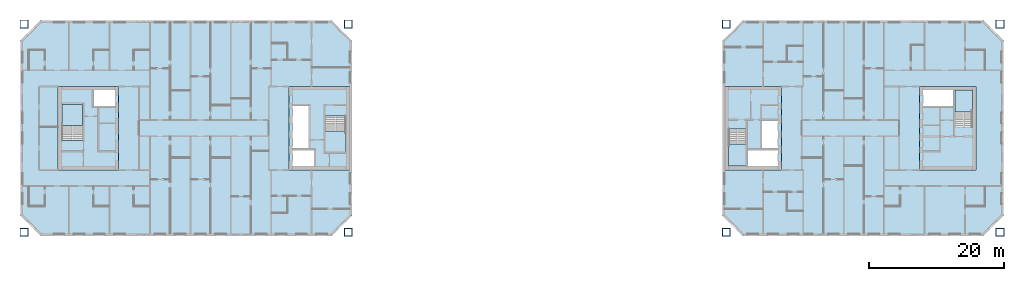
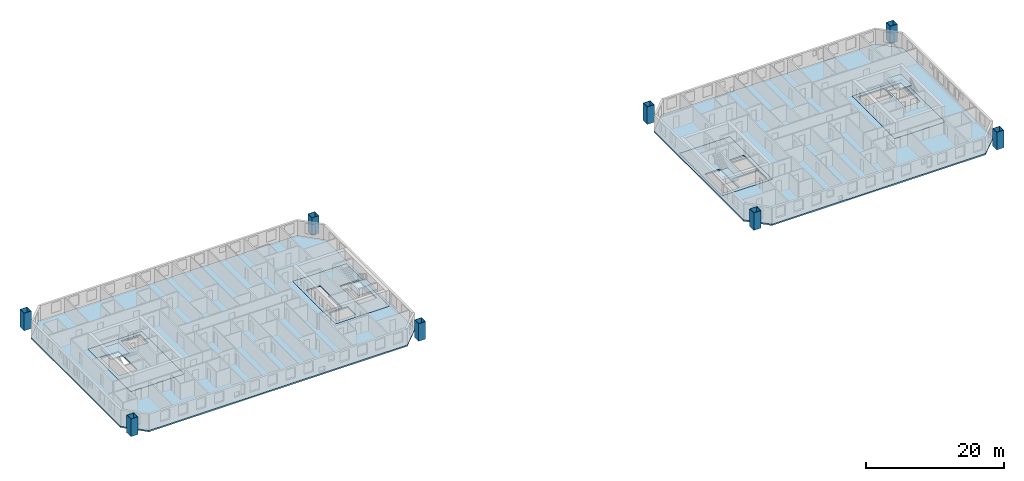
# One storey, part 1 of 16: 10 slabs, 8 columns, 4 elements without a shape of their own.
"""IFC4 building model written with IfcOpenShell, lengths in metres."""

import ifcopenshell
import ifcopenshell.guid

model = None  # the IFC model being written
_history = None  # IfcOwnerHistory: only IFC2X3 demands one
_inside = {}  # id of a spatial element -> (the spatial element, [elements in it])
_under = {}  # id of a project, library or spatial element -> (it, [spatial elements below it])
_declared = {}  # id of a project -> (the project, [libraries it declares])
_typed = {}  # id of a type object -> (the type object, [elements of that type])
_made_of = {}  # id of a material, layer set ... -> (it, [elements and type objects made of it])


def new_model(schema):
    """Start an empty IFC model of exactly this schema.

    Asked for "IFC4X3", IfcOpenShell would pick the latest addendum, in which some entities
    have other attributes; the version numbers below select the first issue.
    IFC2X3 requires an IfcOwnerHistory on every rooted entity: one is made here for all.
    """
    global model, _history
    if schema == "IFC4X3":
        model = ifcopenshell.file(schema_version=(4, 3, 0, 0))
    else:
        model = ifcopenshell.file(schema=schema)
    _inside.clear()
    _under.clear()
    _declared.clear()
    _typed.clear()
    _made_of.clear()
    _history = None
    if model.schema == "IFC2X3":
        org = make("IfcOrganization", Name="unknown")
        user = make(
            "IfcPersonAndOrganization",
            ThePerson=make("IfcPerson", FamilyName="unknown"),
            TheOrganization=org,
        )
        app = make(
            "IfcApplication",
            ApplicationDeveloper=org,
            Version="unknown",
            ApplicationFullName="unknown",
            ApplicationIdentifier="unknown",
        )
        _history = make(
            "IfcOwnerHistory",
            OwningUser=user,
            OwningApplication=app,
            ChangeAction="ADDED",
            CreationDate=0,
        )
    return model


def make(cls, **values):
    """One entity of the class cls with the attributes given. An attribute that is None is left unset."""
    return model.create_entity(
        cls, **{name: value for name, value in values.items() if value is not None}
    )


def rooted(cls, **values):
    """An entity with a GlobalId (a new one), such as an element, a storey or a relation."""
    return make(cls, GlobalId=ifcopenshell.guid.new(), OwnerHistory=_history, **values)


def si_unit(unit_type, name, prefix=None):
    """IfcSIUnit, for example si_unit("LENGTHUNIT", "METRE", prefix="MILLI")."""
    return make("IfcSIUnit", UnitType=unit_type, Prefix=prefix, Name=name)


def assignment(units):
    """IfcUnitAssignment: the units of a project."""
    return None if units is None else make("IfcUnitAssignment", Units=units)


def point(xyz):
    """IfcCartesianPoint."""
    return None if xyz is None else make("IfcCartesianPoint", Coordinates=xyz)


def direction(xyz):
    """IfcDirection."""
    return None if xyz is None else make("IfcDirection", DirectionRatios=xyz)


def frame(location, z_axis=None, x_axis=None):
    """IfcAxis2Placement3D, a coordinate frame: its origin and axes. An axis left out is left unset."""
    return make(
        "IfcAxis2Placement3D",
        Location=point(location),
        Axis=direction(z_axis),
        RefDirection=direction(x_axis),
    )


def frame_2d(location, x_axis=None):
    """IfcAxis2Placement2D, a coordinate frame in the plane: its origin and x axis."""
    return make(
        "IfcAxis2Placement2D", Location=point(location), RefDirection=direction(x_axis)
    )


def origin():
    """The frame at (0, 0, 0) with its axes left unset."""
    return frame((0.0, 0.0, 0.0))


def origin_2d():
    """The frame at (0, 0) in the plane with its x axis left unset."""
    return frame_2d((0.0, 0.0))


def place(relative_to, where):
    """IfcLocalPlacement: puts the frame where relative to a parent placement (None: the world)."""
    return make(
        "IfcLocalPlacement", PlacementRelTo=relative_to, RelativePlacement=where
    )


def context(
    kind, dimensions, precision=None, world=None, true_north=None, identifier=None
):
    """IfcGeometricRepresentationContext, for example the 3D "Model" context."""
    return make(
        "IfcGeometricRepresentationContext",
        ContextIdentifier=identifier,
        ContextType=kind,
        CoordinateSpaceDimension=dimensions,
        Precision=precision,
        WorldCoordinateSystem=world,
        TrueNorth=true_north,
    )


def subcontext(parent, identifier, kind, view, scale=None):
    """IfcGeometricRepresentationSubContext, for example "Body" below "Model"."""
    return make(
        "IfcGeometricRepresentationSubContext",
        ContextIdentifier=identifier,
        ContextType=kind,
        ParentContext=parent,
        TargetScale=scale,
        TargetView=view,
    )


def project(units=None, contexts=None):
    """IfcProject with its units and contexts."""
    return rooted(
        "IfcProject",
        Name="project",
        RepresentationContexts=contexts,
        UnitsInContext=assignment(units),
    )


def spatial(cls, under=None, at=None, **own):
    """A site, building, storey or space (cls), placed at a placement, below another one or the project."""
    s = rooted(cls, ObjectPlacement=at, **own)
    if under is not None:
        _under.setdefault(under.id(), (under, []))[1].append(s)
    return s


def polyline(points):
    """IfcPolyline through the points."""
    return make("IfcPolyline", Points=[point(p) for p in points])


def profile(cls, at=None, kind="AREA", **sizes):
    """A parametric profile (cls). Its sizes go by their IFC names, for example OverallWidth=200.0."""
    return make(cls, ProfileType=kind, Position=at, **sizes)


def hollow_rectangle(**sizes):
    """IfcRectangleHollowProfileDef."""
    return profile("IfcRectangleHollowProfileDef", **sizes)


def outline(outer, holes=None, kind="AREA"):
    """IfcArbitraryClosedProfileDef: a profile drawn as a closed curve; with holes, ...WithVoids."""
    if holes is None:
        return make("IfcArbitraryClosedProfileDef", ProfileType=kind, OuterCurve=outer)
    return make(
        "IfcArbitraryProfileDefWithVoids",
        ProfileType=kind,
        OuterCurve=outer,
        InnerCurves=holes,
    )


def extrude(swept, where, along, depth):
    """IfcExtrudedAreaSolid: the profile swept, set in the frame where, extruded along a direction by depth."""
    return make(
        "IfcExtrudedAreaSolid",
        SweptArea=swept,
        Position=where,
        ExtrudedDirection=direction(along),
        Depth=depth,
    )


def shape(context_of_items, identifier, shape_type, items):
    """IfcShapeRepresentation: the items that make up one representation, for example the "Body"."""
    return make(
        "IfcShapeRepresentation",
        ContextOfItems=context_of_items,
        RepresentationIdentifier=identifier,
        RepresentationType=shape_type,
        Items=items,
    )


def material(Name=None, Category=None):
    """IfcMaterial."""
    return make("IfcMaterial", Name=Name, Category=Category)


def layer(
    of_material, thickness, ventilated=None, Name=None, Category=None, Priority=None
):
    """IfcMaterialLayer: one layer of a wall or slab, of a material (None: an air gap)."""
    return make(
        "IfcMaterialLayer",
        Material=of_material,
        LayerThickness=thickness,
        IsVentilated=ventilated,
        Name=Name,
        Category=Category,
        Priority=Priority,
    )


def layer_set(layers, Name=None):
    """IfcMaterialLayerSet."""
    return make("IfcMaterialLayerSet", MaterialLayers=layers, LayerSetName=Name)


def material_profile(
    of_material, cross_section, Name=None, Category=None, Priority=None
):
    """IfcMaterialProfile: a cross section and its material."""
    return make(
        "IfcMaterialProfile",
        Name=Name,
        Material=of_material,
        Profile=cross_section,
        Priority=Priority,
        Category=Category,
    )


def profile_set(profiles, Name=None, composite=None):
    """IfcMaterialProfileSet."""
    return make(
        "IfcMaterialProfileSet",
        Name=Name,
        MaterialProfiles=profiles,
        CompositeProfile=composite,
    )


def made_of(thing, what):
    """Note that an element or type object is made of a material, layer set ...; save() writes the relation."""
    if what is not None:
        _made_of.setdefault(what.id(), (what, []))[1].append(thing)
    return thing


def type_object(cls, material=None, **own):
    """A type object (cls), such as IfcWallType, which elements share."""
    return made_of(rooted(cls, **own), material)


def element(
    cls,
    number,
    at=None,
    inside=None,
    cuts=None,
    type_object=None,
    material=None,
    context=None,
    identifier="Body",
    shape_type=None,
    held_by="IfcProductDefinitionShape",
    body=None,
    shapes=None,
    **own,
):
    """One element of the class cls, such as IfcWall. Its Tag is "e" and its number.

    at: its placement. inside: the storey or other place that contains it. cuts: it is an
    opening in that element (IfcRelVoidsElement). A single representation is given by context,
    identifier, shape_type and body (its items); several are given by shapes. held_by: the class
    of the entity that holds the representations. save() writes the other relations.
    """
    e = rooted(cls, Tag="e%d" % number, ObjectPlacement=at, **own)
    if body is not None:
        shapes = [shape(context, identifier, shape_type, body)]
    if shapes is not None:
        e.Representation = make(held_by, Representations=shapes)
    if inside is not None:
        _inside.setdefault(inside.id(), (inside, []))[1].append(e)
    if cuts is not None:
        rooted(
            "IfcRelVoidsElement", RelatingBuildingElement=cuts, RelatedOpeningElement=e
        )
    if type_object is not None:
        _typed.setdefault(type_object.id(), (type_object, []))[1].append(e)
    return made_of(e, material)


def aggregate(whole, parts):
    """IfcRelAggregates: a whole, such as a stair, and the parts it consists of."""
    return rooted("IfcRelAggregates", RelatingObject=whole, RelatedObjects=parts)


def save(model, path):
    """Write the relations noted so far, then the file.

    IfcRelAggregates (storeys below a building ...), IfcRelContainedInSpatialStructure (elements
    in a storey), IfcRelDefinesByType, IfcRelAssociatesMaterial and IfcRelDeclares: one each for
    every whole, place, type object, material and project.
    """
    for whole, parts in _under.values():
        aggregate(whole, parts)
    for where, things in _inside.values():
        rooted(
            "IfcRelContainedInSpatialStructure",
            RelatedElements=things,
            RelatingStructure=where,
        )
    for kind, things in _typed.values():
        rooted("IfcRelDefinesByType", RelatedObjects=things, RelatingType=kind)
    for what, things in _made_of.values():
        rooted("IfcRelAssociatesMaterial", RelatedObjects=things, RelatingMaterial=what)
    for by, libraries in _declared.values():
        rooted("IfcRelDeclares", RelatingContext=by, RelatedDefinitions=libraries)
    model.write(path)


model = new_model("IFC4")

# Units and contexts
model_context = context("Model", 3, precision=1e-05, world=origin(), true_north=direction((0.0, 1.0)))
body_context = subcontext(model_context, "Body", "Model", "MODEL_VIEW")
ifc_project = project(units=[si_unit("LENGTHUNIT", "METRE"), si_unit("AREAUNIT", "SQUARE_METRE"), si_unit("VOLUMEUNIT", "CUBIC_METRE"), si_unit("PLANEANGLEUNIT", "RADIAN"), si_unit("MASSUNIT", "GRAM", prefix="KILO")], contexts=[model_context])

# Site, building, storey
site_placement = place(None, origin())
site = spatial("IfcSite", under=ifc_project, at=site_placement, CompositionType="ELEMENT")
building_placement = place(site_placement, origin())
building = spatial("IfcBuilding", under=site, at=building_placement, Name="Tuart Gate Housing", CompositionType="ELEMENT")
storey_placement = place(building_placement, frame((0.0, 0.0, 133.0)))
storey = spatial("IfcBuildingStorey", under=building, at=storey_placement, Name="L37", CompositionType="ELEMENT", Elevation=133.0)

# Columns
ifc_material_1 = material(Name="Steel Grade 350", Category="steel")
ifc_material_profile = material_profile(ifc_material_1, hollow_rectangle(XDim=1.199951171875, YDim=1.199951171875, WallThickness=0.06494140625, at=origin_2d()), Name="BOX 1200x1200x65")
ifc_profile_set = profile_set([ifc_material_profile], Name="Steel Grade 350")
column_type = type_object("IfcColumnType", Name="Mega column BOX 1200x1200x65", PredefinedType="COLUMN", material=ifc_profile_set)
for number, where, z_axis, x_axis, name in (
    (1, (27.300048828125, 54.550048828125, 0.0), (0.0, 0.0, 1.0), (1.0, 0.0, 0.0), "Mega column A south-west L37"),
    (2, (75.449951171875, 54.550048828125, 0.0), (0.0, 0.0, 1.0), (1.0, 0.0, 0.0), "Mega column A south-east L37"),
    (3, (75.449951171875, 85.449951171875, 0.0), (0.0, 0.0, 1.0), (1.0, 0.0, 0.0), "Mega column A north-east L37"),
    (4, (27.300048828125, 85.449951171875, 0.0), (0.0, 0.0, 1.0), (1.0, 0.0, 0.0), "Mega column A north-west L37"),
    (5, (131.550048828125, 54.550048828125, 0.0), (0.0, 0.0, 1.0), (1.0, 0.0, 0.0), "Mega column B south-west L37"),
    (6, (172.199951171875, 54.550048828125, 0.0), (0.0, 0.0, 1.0), (1.0, 0.0, 0.0), "Mega column B south-east L37"),
    (7, (172.199951171875, 85.449951171875, 0.0), (0.0, 0.0, 1.0), (1.0, 0.0, 0.0), "Mega column B north-east L37"),
    (8, (131.550048828125, 85.449951171875, 0.0), (0.0, 0.0, 1.0), (1.0, 0.0, 0.0), "Mega column B north-west L37"),
):
    element("IfcColumn", number, at=place(storey_placement, frame(where, z_axis=z_axis, x_axis=x_axis)), inside=storey, type_object=column_type, Name=name, PredefinedType="COLUMN", context=body_context, shape_type="SweptSolid", body=[
        extrude(hollow_rectangle(XDim=1.199951171875, YDim=1.199951171875, WallThickness=0.06494140625, at=origin_2d()), origin(), (0.0, 0.0, 1.0), 3.10009765625),
    ])

# Slabs
ifc_material_2 = material(Name="Concrete C40", Category="concrete")
ifc_layer_1 = layer(ifc_material_2, 0.25)
ifc_layer_set_1 = layer_set([ifc_layer_1], Name="Core floor slab 250")
slab_type_1 = type_object("IfcSlabType", Name="Core floor slab 250", PredefinedType="FLOOR", material=ifc_layer_set_1)
slab_1_placement = place(storey_placement, frame((0.0, 0.0, -0.25)))
element("IfcSlab", 9, at=slab_1_placement, inside=storey, type_object=slab_type_1, Name="Core floor AG", PredefinedType="FLOOR", context=body_context, shape_type="SweptSolid", body=[
    extrude(outline(polyline([(66.639892578125, 63.800048828125), (75.639892578125, 63.800048828125), (75.639892578125, 76.199951171875), (66.639892578125, 76.199951171875), (66.639892578125, 63.800048828125)]), holes=[polyline([(67.18994140625, 64.35009765625), (70.385009765625, 64.35009765625), (70.385009765625, 66.72509765625), (67.18994140625, 66.72509765625), (67.18994140625, 64.35009765625)]), polyline([(67.18994140625, 66.97509765625), (69.56494140625, 66.97509765625), (69.56494140625, 73.324951171875), (67.18994140625, 73.324951171875), (67.18994140625, 66.97509765625)]), polyline([(72.014892578125, 66.47509765625), (75.090087890625, 66.47509765625), (75.090087890625, 71.804931640625), (72.014892578125, 71.804931640625), (72.014892578125, 66.47509765625)])]), origin(), (0.0, 0.0, 1.0), 0.25),
])
slab_2_placement = place(storey_placement, frame((0.0, 0.0, -0.25)))
element("IfcSlab", 10, at=slab_2_placement, inside=storey, type_object=slab_type_1, Name="Core floor AK", PredefinedType="FLOOR", context=body_context, shape_type="SweptSolid", body=[
    extrude(outline(polyline([(32.360107421875, 63.800048828125), (41.360107421875, 63.800048828125), (41.360107421875, 76.199951171875), (32.360107421875, 76.199951171875), (32.360107421875, 63.800048828125)]), holes=[polyline([(40.81005859375, 75.64990234375), (37.614990234375, 75.64990234375), (37.614990234375, 73.27490234375), (40.81005859375, 73.27490234375), (40.81005859375, 75.64990234375)]), polyline([(35.985107421875, 73.52490234375), (32.909912109375, 73.52490234375), (32.909912109375, 68.195068359375), (35.985107421875, 68.195068359375), (35.985107421875, 73.52490234375)])]), origin(), (0.0, 0.0, 1.0), 0.25),
])
slab_3_placement = place(storey_placement, frame((0.0, 0.0, -0.25)))
element("IfcSlab", 11, at=slab_3_placement, inside=storey, type_object=slab_type_1, Name="Core floor BG", PredefinedType="FLOOR", context=body_context, shape_type="SweptSolid", body=[
    extrude(outline(polyline([(131.360107421875, 63.800048828125), (139.760009765625, 63.800048828125), (139.760009765625, 76.199951171875), (131.360107421875, 76.199951171875), (131.360107421875, 63.800048828125)]), holes=[polyline([(139.2099609375, 66.85009765625), (134.735107421875, 66.85009765625), (134.735107421875, 64.35009765625), (139.2099609375, 64.35009765625), (139.2099609375, 66.85009765625)]), polyline([(139.2099609375, 71.125), (136.8349609375, 71.125), (136.8349609375, 66.97509765625), (139.2099609375, 66.97509765625), (139.2099609375, 71.125)]), polyline([(134.485107421875, 69.85498046875), (131.909912109375, 69.85498046875), (131.909912109375, 64.35009765625), (134.485107421875, 64.35009765625), (134.485107421875, 69.85498046875)])]), origin(), (0.0, 0.0, 1.0), 0.25),
])
slab_4_placement = place(storey_placement, frame((0.0, 0.0, -0.25)))
element("IfcSlab", 12, at=slab_4_placement, inside=storey, type_object=slab_type_1, Name="Core floor BK", PredefinedType="FLOOR", context=body_context, shape_type="SweptSolid", body=[
    extrude(outline(polyline([(160.239990234375, 63.800048828125), (168.639892578125, 63.800048828125), (168.639892578125, 76.199951171875), (160.239990234375, 76.199951171875), (160.239990234375, 63.800048828125)]), holes=[polyline([(160.7900390625, 73.14990234375), (165.264892578125, 73.14990234375), (165.264892578125, 75.64990234375), (160.7900390625, 75.64990234375), (160.7900390625, 73.14990234375)]), polyline([(165.514892578125, 70.14501953125), (168.090087890625, 70.14501953125), (168.090087890625, 75.64990234375), (165.514892578125, 75.64990234375), (165.514892578125, 70.14501953125)])]), origin(), (0.0, 0.0, 1.0), 0.25),
])
ifc_material_3 = material(Name="Concrete C40", Category="concrete")
ifc_layer_2 = layer(ifc_material_3, 0.25)
ifc_layer_set_2 = layer_set([ifc_layer_2], Name="Flat plate 250")
slab_type_2 = type_object("IfcSlabType", Name="Flat plate 250", PredefinedType="FLOOR", material=ifc_layer_set_2)
slab_5_placement = place(storey_placement, frame((0.0, 0.0, -0.25)))
element("IfcSlab", 13, at=slab_5_placement, inside=storey, type_object=slab_type_2, Name="Floor slab A L37", PredefinedType="FLOOR", context=body_context, shape_type="SweptSolid", body=[
    extrude(outline(polyline([(29.75, 86.0), (26.75, 83.0), (26.75, 57.0), (29.75, 54.0), (73.0, 54.0), (76.0, 57.0), (76.0, 83.0), (73.0, 86.0), (29.75, 86.0)]), holes=[polyline([(66.639892578125, 76.199951171875), (75.639892578125, 76.199951171875), (75.639892578125, 63.800048828125), (66.639892578125, 63.800048828125), (66.639892578125, 76.199951171875)]), polyline([(41.360107421875, 76.199951171875), (41.360107421875, 63.800048828125), (32.360107421875, 63.800048828125), (32.360107421875, 76.199951171875), (41.360107421875, 76.199951171875)])]), origin(), (0.0, 0.0, 1.0), 0.25),
])
slab_6_placement = place(storey_placement, frame((0.0, 0.0, -0.25)))
element("IfcSlab", 14, at=slab_6_placement, inside=storey, type_object=slab_type_2, Name="Floor slab B L37", PredefinedType="FLOOR", context=body_context, shape_type="SweptSolid", body=[
    extrude(outline(polyline([(134.0, 86.0), (131.0, 83.0), (131.0, 57.0), (134.0, 54.0), (169.75, 54.0), (172.75, 57.0), (172.75, 83.0), (169.75, 86.0), (134.0, 86.0)]), holes=[polyline([(131.360107421875, 76.199951171875), (139.760009765625, 76.199951171875), (139.760009765625, 63.800048828125), (131.360107421875, 63.800048828125), (131.360107421875, 76.199951171875)]), polyline([(168.639892578125, 76.199951171875), (168.639892578125, 63.800048828125), (160.239990234375, 63.800048828125), (160.239990234375, 76.199951171875), (168.639892578125, 76.199951171875)])]), origin(), (0.0, 0.0, 1.0), 0.25),
])

# Stair, slab
ifc_material_4 = material(Name="Concrete C40", Category="concrete")
stair_type_1 = type_object("IfcStairType", Name="Core stair 1500", PredefinedType="HALF_TURN_STAIR", material=ifc_material_4)
stair_1_placement = place(storey_placement, origin())
stair_1 = element("IfcStair", 15, at=stair_1_placement, inside=storey, type_object=stair_type_1, Name="Stair SA1", PredefinedType="HALF_TURN_STAIR")
ifc_material_5 = material(Name="Concrete C40", Category="concrete")
ifc_layer_3 = layer(ifc_material_5, 0.199951171875)
ifc_layer_set_3 = layer_set([ifc_layer_3], Name="Stair landing 200")
slab_type_3 = type_object("IfcSlabType", Name="Stair landing 200", PredefinedType="LANDING", material=ifc_layer_set_3)
slab_7_placement = place(storey_placement, frame((0.0, 0.0, 1.35009765625)))
slab_7 = element("IfcSlab", 16, at=slab_7_placement, type_object=slab_type_3, Name="SA1 landing 1", PredefinedType="LANDING", context=body_context, shape_type="SweptSolid", body=[
    extrude(outline(polyline([(72.014892578125, 66.47509765625), (75.090087890625, 66.47509765625), (75.090087890625, 69.5849609375), (72.014892578125, 69.5849609375), (72.014892578125, 66.47509765625)])), origin(), (0.0, 0.0, 1.0), 0.199951171875),
])
aggregate(stair_1, [slab_7])

stair_2_placement = place(storey_placement, origin())
stair_2 = element("IfcStair", 17, at=stair_2_placement, inside=storey, type_object=stair_type_1, Name="Stair SA2", PredefinedType="HALF_TURN_STAIR")
slab_8_placement = place(storey_placement, frame((0.0, 0.0, 1.35009765625)))
slab_8 = element("IfcSlab", 18, at=slab_8_placement, type_object=slab_type_3, Name="SA2 landing 1", PredefinedType="LANDING", context=body_context, shape_type="SweptSolid", body=[
    extrude(outline(polyline([(35.985107421875, 73.52490234375), (32.909912109375, 73.52490234375), (32.909912109375, 70.4150390625), (35.985107421875, 70.4150390625), (35.985107421875, 73.52490234375)])), origin(), (0.0, 0.0, 1.0), 0.199951171875),
])
aggregate(stair_2, [slab_8])

ifc_material_6 = material(Name="Concrete C40", Category="concrete")
stair_type_2 = type_object("IfcStairType", Name="Core stair 1250", PredefinedType="HALF_TURN_STAIR", material=ifc_material_6)
stair_3_placement = place(storey_placement, origin())
stair_3 = element("IfcStair", 19, at=stair_3_placement, inside=storey, type_object=stair_type_2, Name="Stair SB1", PredefinedType="HALF_TURN_STAIR")
slab_9_placement = place(storey_placement, frame((0.0, 0.0, 1.35009765625)))
slab_9 = element("IfcSlab", 20, at=slab_9_placement, type_object=slab_type_3, Name="SB1 landing 1", PredefinedType="LANDING", context=body_context, shape_type="SweptSolid", body=[
    extrude(outline(polyline([(134.485107421875, 67.635009765625), (131.909912109375, 67.635009765625), (131.909912109375, 64.35009765625), (134.485107421875, 64.35009765625), (134.485107421875, 67.635009765625)])), origin(), (0.0, 0.0, 1.0), 0.199951171875),
])
aggregate(stair_3, [slab_9])

stair_4_placement = place(storey_placement, origin())
stair_4 = element("IfcStair", 21, at=stair_4_placement, inside=storey, type_object=stair_type_2, Name="Stair SB2", PredefinedType="HALF_TURN_STAIR")
slab_10_placement = place(storey_placement, frame((0.0, 0.0, 1.35009765625)))
slab_10 = element("IfcSlab", 22, at=slab_10_placement, type_object=slab_type_3, Name="SB2 landing 1", PredefinedType="LANDING", context=body_context, shape_type="SweptSolid", body=[
    extrude(outline(polyline([(165.514892578125, 72.364990234375), (168.090087890625, 72.364990234375), (168.090087890625, 75.64990234375), (165.514892578125, 75.64990234375), (165.514892578125, 72.364990234375)])), origin(), (0.0, 0.0, 1.0), 0.199951171875),
])
aggregate(stair_4, [slab_10])

save(model, "model.ifc")
